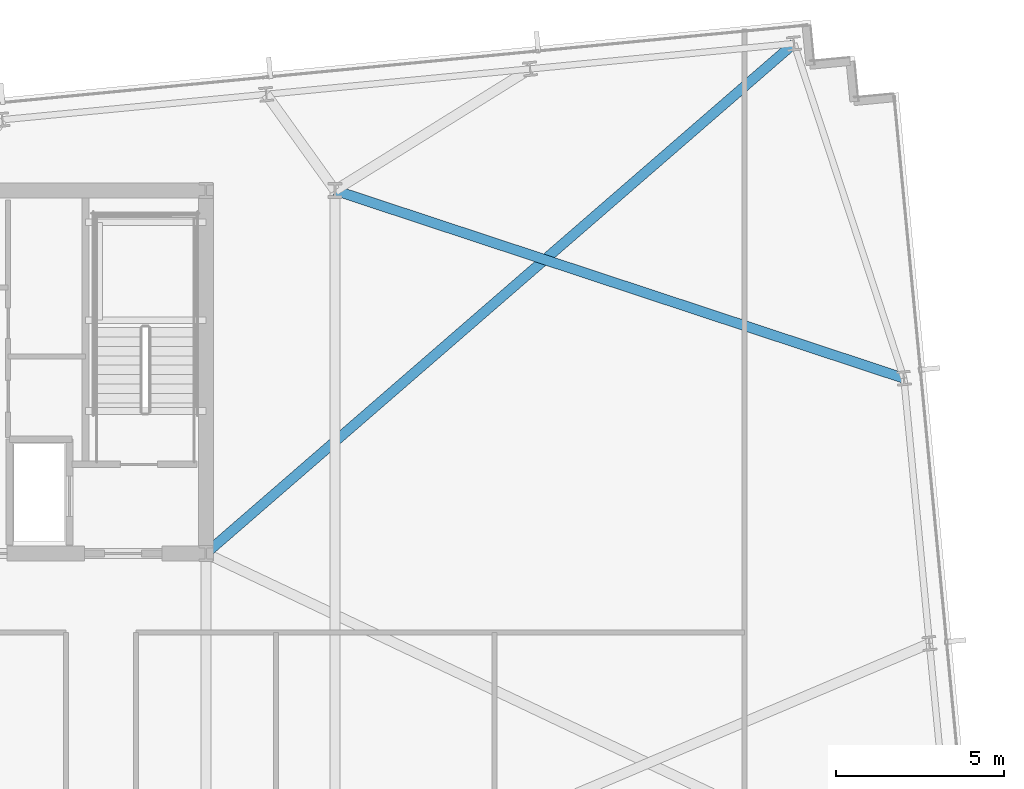
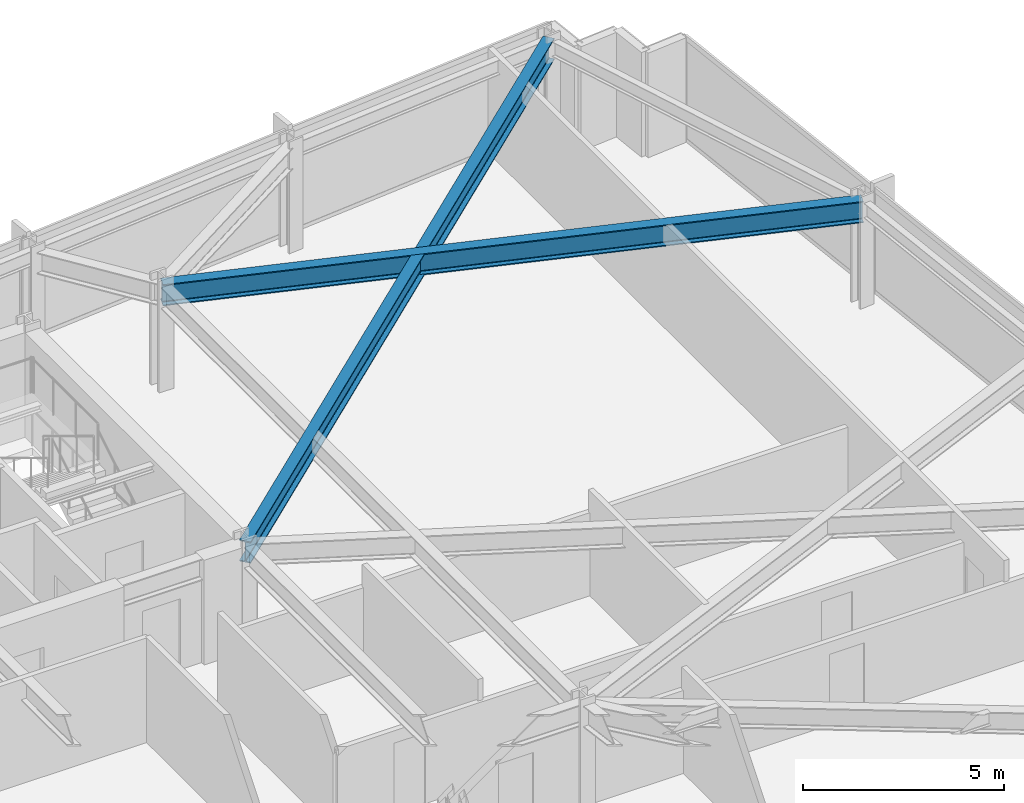
# One storey, part 22 of 32: 2 beams.
"""IFC4 building model written with IfcOpenShell, lengths in metres."""

from ifc_helpers import new_model, si_unit, direction, frame, origin, origin_2d, place, context, subcontext, project, spatial, i_section, extrude, material, material_profile, profile_set, type_object, element, save


model = new_model("IFC4")

# Units and contexts
model_context = context("Model", 3, precision=1e-05, world=origin(), true_north=direction((0.0, 1.0)))
body_context = subcontext(model_context, "Body", "Model", "MODEL_VIEW")
ifc_project = project(units=[si_unit("LENGTHUNIT", "METRE"), si_unit("AREAUNIT", "SQUARE_METRE"), si_unit("VOLUMEUNIT", "CUBIC_METRE"), si_unit("PLANEANGLEUNIT", "RADIAN"), si_unit("MASSUNIT", "GRAM", prefix="KILO")], contexts=[model_context])

# Site, building, storey
site_placement = place(None, origin())
site = spatial("IfcSite", under=ifc_project, at=site_placement, CompositionType="ELEMENT")
building_placement = place(site_placement, origin())
building = spatial("IfcBuilding", under=site, at=building_placement, Name="Yelkora Congress Tower", CompositionType="ELEMENT")
storey_placement = place(building_placement, frame((0.0, 0.0, 93.10009765625)))
storey = spatial("IfcBuildingStorey", under=building, at=storey_placement, Name="L24", CompositionType="ELEMENT", Elevation=93.10009765625)

# Beams
ifc_material = material(Name="Steel S355J2", Category="steel")
ifc_material_profile = material_profile(ifc_material, i_section(OverallWidth=0.300048828125, OverallDepth=0.64990234375, WebThickness=0.01611328125, FlangeThickness=0.031005859375, FilletRadius=0.027099609375, at=origin_2d()), Name="HEB 650")
ifc_profile_set = profile_set([ifc_material_profile], Name="Steel S355J2")
beam_type = type_object("IfcBeamType", Name="BM-GIRD-HEB650", PredefinedType="BEAM", material=ifc_profile_set)
beam_1_placement = place(storey_placement, frame((71.252685546875, 50.568115234375, 2.85498046875), z_axis=(-0.755520317406, -0.655125217029, 0.0), x_axis=(0.655125217029, -0.755520317406, 0.0)))
element("IfcBeam", 1, at=beam_1_placement, inside=storey, type_object=beam_type, Name="L24 Primary Frame Girder N08", PredefinedType="BEAM", context=body_context, shape_type="SweptSolid", body=[
    extrude(i_section(OverallWidth=0.300048828125, OverallDepth=0.64990234375, WebThickness=0.01611328125, FlangeThickness=0.031005859375, FilletRadius=0.027099609375, at=origin_2d()), origin(), (0.0, 0.0, 1.0), 23.153076171875),
])
beam_2_placement = place(storey_placement, frame((74.522216796875, 40.610595703125, 2.85498046875), z_axis=(-0.949544183597, 0.313633294465, 0.0), x_axis=(-0.313633294465, -0.949544183597, 0.0)))
element("IfcBeam", 2, at=beam_2_placement, inside=storey, type_object=beam_type, Name="L24 Primary Frame Girder E03", PredefinedType="BEAM", context=body_context, shape_type="SweptSolid", body=[
    extrude(i_section(OverallWidth=0.300048828125, OverallDepth=0.64990234375, WebThickness=0.01611328125, FlangeThickness=0.031005859375, FilletRadius=0.027099609375, at=origin_2d()), origin(), (0.0, 0.0, 1.0), 17.8212890625),
])

save(model, "model.ifc")
